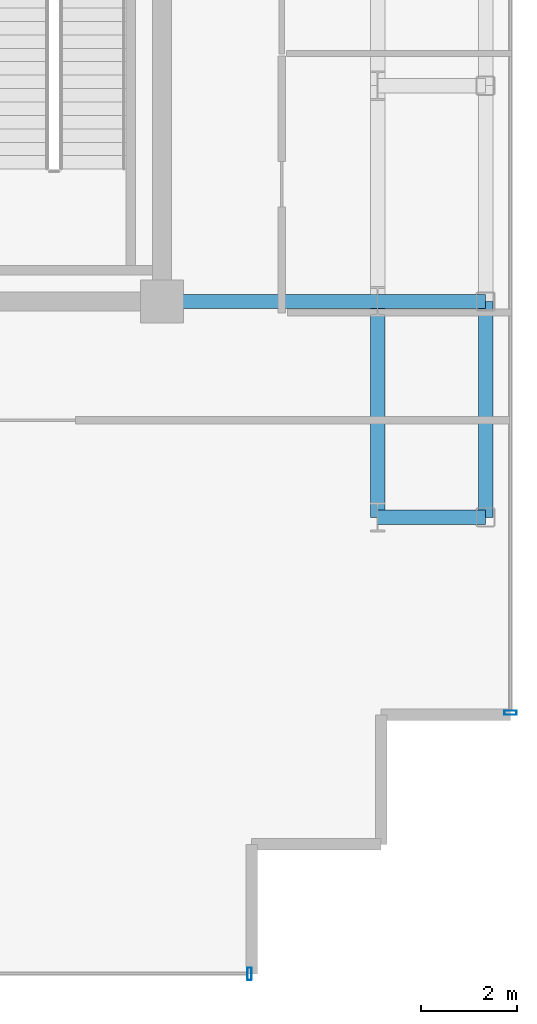
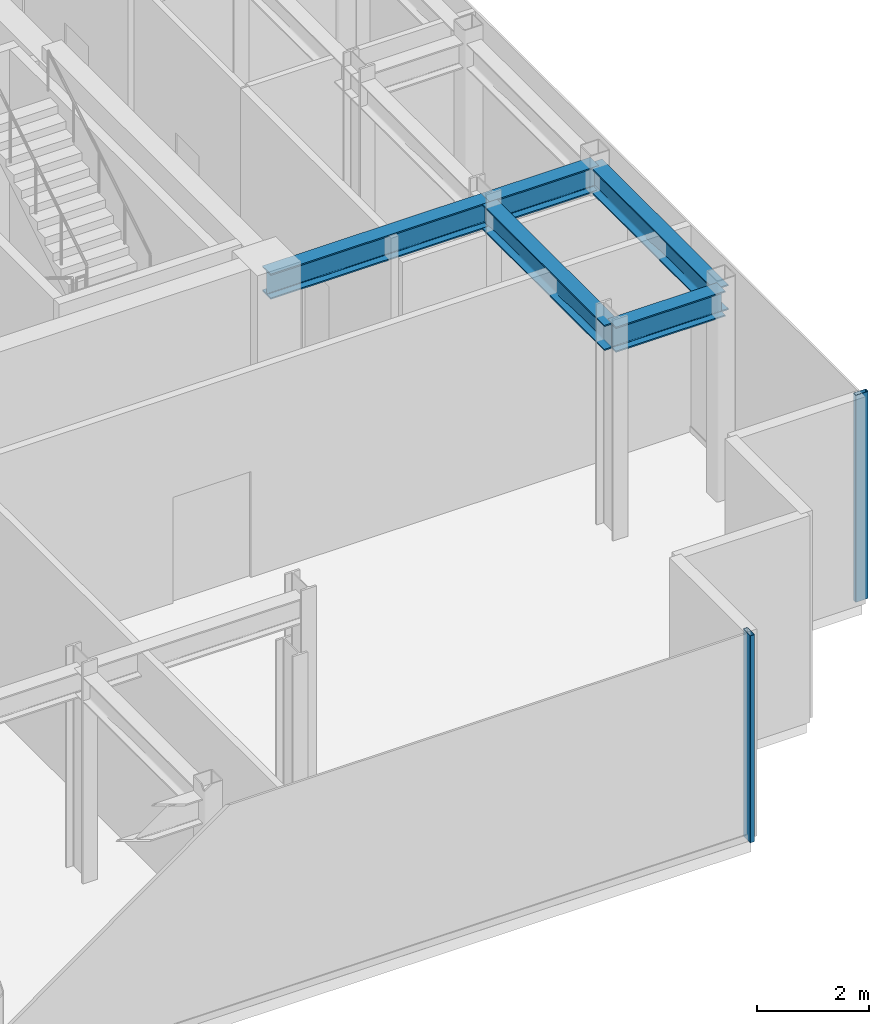
# One storey, part 6 of 17: 5 beams, 2 members, 2 elements without a shape of their own.
"""IFC4 building model written with IfcOpenShell, lengths in metres."""

import ifcopenshell
import ifcopenshell.guid

model = None  # the IFC model being written
_history = None  # IfcOwnerHistory: only IFC2X3 demands one
_inside = {}  # id of a spatial element -> (the spatial element, [elements in it])
_under = {}  # id of a project, library or spatial element -> (it, [spatial elements below it])
_declared = {}  # id of a project -> (the project, [libraries it declares])
_typed = {}  # id of a type object -> (the type object, [elements of that type])
_made_of = {}  # id of a material, layer set ... -> (it, [elements and type objects made of it])


def new_model(schema):
    """Start an empty IFC model of exactly this schema.

    Asked for "IFC4X3", IfcOpenShell would pick the latest addendum, in which some entities
    have other attributes; the version numbers below select the first issue.
    IFC2X3 requires an IfcOwnerHistory on every rooted entity: one is made here for all.
    """
    global model, _history
    if schema == "IFC4X3":
        model = ifcopenshell.file(schema_version=(4, 3, 0, 0))
    else:
        model = ifcopenshell.file(schema=schema)
    _inside.clear()
    _under.clear()
    _declared.clear()
    _typed.clear()
    _made_of.clear()
    _history = None
    if model.schema == "IFC2X3":
        org = make("IfcOrganization", Name="unknown")
        user = make(
            "IfcPersonAndOrganization",
            ThePerson=make("IfcPerson", FamilyName="unknown"),
            TheOrganization=org,
        )
        app = make(
            "IfcApplication",
            ApplicationDeveloper=org,
            Version="unknown",
            ApplicationFullName="unknown",
            ApplicationIdentifier="unknown",
        )
        _history = make(
            "IfcOwnerHistory",
            OwningUser=user,
            OwningApplication=app,
            ChangeAction="ADDED",
            CreationDate=0,
        )
    return model


def make(cls, **values):
    """One entity of the class cls with the attributes given. An attribute that is None is left unset."""
    return model.create_entity(
        cls, **{name: value for name, value in values.items() if value is not None}
    )


def rooted(cls, **values):
    """An entity with a GlobalId (a new one), such as an element, a storey or a relation."""
    return make(cls, GlobalId=ifcopenshell.guid.new(), OwnerHistory=_history, **values)


def si_unit(unit_type, name, prefix=None):
    """IfcSIUnit, for example si_unit("LENGTHUNIT", "METRE", prefix="MILLI")."""
    return make("IfcSIUnit", UnitType=unit_type, Prefix=prefix, Name=name)


def assignment(units):
    """IfcUnitAssignment: the units of a project."""
    return None if units is None else make("IfcUnitAssignment", Units=units)


def point(xyz):
    """IfcCartesianPoint."""
    return None if xyz is None else make("IfcCartesianPoint", Coordinates=xyz)


def direction(xyz):
    """IfcDirection."""
    return None if xyz is None else make("IfcDirection", DirectionRatios=xyz)


def frame(location, z_axis=None, x_axis=None):
    """IfcAxis2Placement3D, a coordinate frame: its origin and axes. An axis left out is left unset."""
    return make(
        "IfcAxis2Placement3D",
        Location=point(location),
        Axis=direction(z_axis),
        RefDirection=direction(x_axis),
    )


def frame_2d(location, x_axis=None):
    """IfcAxis2Placement2D, a coordinate frame in the plane: its origin and x axis."""
    return make(
        "IfcAxis2Placement2D", Location=point(location), RefDirection=direction(x_axis)
    )


def origin():
    """The frame at (0, 0, 0) with its axes left unset."""
    return frame((0.0, 0.0, 0.0))


def origin_2d():
    """The frame at (0, 0) in the plane with its x axis left unset."""
    return frame_2d((0.0, 0.0))


def place(relative_to, where):
    """IfcLocalPlacement: puts the frame where relative to a parent placement (None: the world)."""
    return make(
        "IfcLocalPlacement", PlacementRelTo=relative_to, RelativePlacement=where
    )


def context(
    kind, dimensions, precision=None, world=None, true_north=None, identifier=None
):
    """IfcGeometricRepresentationContext, for example the 3D "Model" context."""
    return make(
        "IfcGeometricRepresentationContext",
        ContextIdentifier=identifier,
        ContextType=kind,
        CoordinateSpaceDimension=dimensions,
        Precision=precision,
        WorldCoordinateSystem=world,
        TrueNorth=true_north,
    )


def subcontext(parent, identifier, kind, view, scale=None):
    """IfcGeometricRepresentationSubContext, for example "Body" below "Model"."""
    return make(
        "IfcGeometricRepresentationSubContext",
        ContextIdentifier=identifier,
        ContextType=kind,
        ParentContext=parent,
        TargetScale=scale,
        TargetView=view,
    )


def project(units=None, contexts=None):
    """IfcProject with its units and contexts."""
    return rooted(
        "IfcProject",
        Name="project",
        RepresentationContexts=contexts,
        UnitsInContext=assignment(units),
    )


def spatial(cls, under=None, at=None, **own):
    """A site, building, storey or space (cls), placed at a placement, below another one or the project."""
    s = rooted(cls, ObjectPlacement=at, **own)
    if under is not None:
        _under.setdefault(under.id(), (under, []))[1].append(s)
    return s


def profile(cls, at=None, kind="AREA", **sizes):
    """A parametric profile (cls). Its sizes go by their IFC names, for example OverallWidth=200.0."""
    return make(cls, ProfileType=kind, Position=at, **sizes)


def hollow_rectangle(**sizes):
    """IfcRectangleHollowProfileDef."""
    return profile("IfcRectangleHollowProfileDef", **sizes)


def i_section(**sizes):
    """IfcIShapeProfileDef."""
    return profile("IfcIShapeProfileDef", **sizes)


def extrude(swept, where, along, depth):
    """IfcExtrudedAreaSolid: the profile swept, set in the frame where, extruded along a direction by depth."""
    return make(
        "IfcExtrudedAreaSolid",
        SweptArea=swept,
        Position=where,
        ExtrudedDirection=direction(along),
        Depth=depth,
    )


def shape(context_of_items, identifier, shape_type, items):
    """IfcShapeRepresentation: the items that make up one representation, for example the "Body"."""
    return make(
        "IfcShapeRepresentation",
        ContextOfItems=context_of_items,
        RepresentationIdentifier=identifier,
        RepresentationType=shape_type,
        Items=items,
    )


def source(mapping_origin, context_of_items, identifier, shape_type, items):
    """IfcRepresentationMap: a shape defined once, which mapped items show again and again."""
    return make(
        "IfcRepresentationMap",
        MappingOrigin=mapping_origin,
        MappedRepresentation=shape(context_of_items, identifier, shape_type, items),
    )


def transform(
    local_origin,
    x_axis=None,
    y_axis=None,
    z_axis=None,
    scale=None,
    scale2=None,
    scale3=None,
    uniform=True,
):
    """IfcCartesianTransformationOperator3D, or its non-uniform kind. x_axis, y_axis, z_axis: its Axis1, 2, 3."""
    if uniform:
        return make(
            "IfcCartesianTransformationOperator3D",
            Axis1=direction(x_axis),
            Axis2=direction(y_axis),
            LocalOrigin=point(local_origin),
            Scale=scale,
            Axis3=direction(z_axis),
        )
    return make(
        "IfcCartesianTransformationOperator3DnonUniform",
        Axis1=direction(x_axis),
        Axis2=direction(y_axis),
        LocalOrigin=point(local_origin),
        Scale=scale,
        Axis3=direction(z_axis),
        Scale2=scale2,
        Scale3=scale3,
    )


def mapped(mapping_source, mapping_target):
    """IfcMappedItem: shows the shape of a source again, moved by a transform."""
    return make(
        "IfcMappedItem", MappingSource=mapping_source, MappingTarget=mapping_target
    )


def material(Name=None, Category=None):
    """IfcMaterial."""
    return make("IfcMaterial", Name=Name, Category=Category)


def layer(
    of_material, thickness, ventilated=None, Name=None, Category=None, Priority=None
):
    """IfcMaterialLayer: one layer of a wall or slab, of a material (None: an air gap)."""
    return make(
        "IfcMaterialLayer",
        Material=of_material,
        LayerThickness=thickness,
        IsVentilated=ventilated,
        Name=Name,
        Category=Category,
        Priority=Priority,
    )


def layer_set(layers, Name=None):
    """IfcMaterialLayerSet."""
    return make("IfcMaterialLayerSet", MaterialLayers=layers, LayerSetName=Name)


def material_profile(
    of_material, cross_section, Name=None, Category=None, Priority=None
):
    """IfcMaterialProfile: a cross section and its material."""
    return make(
        "IfcMaterialProfile",
        Name=Name,
        Material=of_material,
        Profile=cross_section,
        Priority=Priority,
        Category=Category,
    )


def profile_set(profiles, Name=None, composite=None):
    """IfcMaterialProfileSet."""
    return make(
        "IfcMaterialProfileSet",
        Name=Name,
        MaterialProfiles=profiles,
        CompositeProfile=composite,
    )


def made_of(thing, what):
    """Note that an element or type object is made of a material, layer set ...; save() writes the relation."""
    if what is not None:
        _made_of.setdefault(what.id(), (what, []))[1].append(thing)
    return thing


def type_object(cls, material=None, **own):
    """A type object (cls), such as IfcWallType, which elements share."""
    return made_of(rooted(cls, **own), material)


def element(
    cls,
    number,
    at=None,
    inside=None,
    cuts=None,
    type_object=None,
    material=None,
    context=None,
    identifier="Body",
    shape_type=None,
    held_by="IfcProductDefinitionShape",
    body=None,
    shapes=None,
    **own,
):
    """One element of the class cls, such as IfcWall. Its Tag is "e" and its number.

    at: its placement. inside: the storey or other place that contains it. cuts: it is an
    opening in that element (IfcRelVoidsElement). A single representation is given by context,
    identifier, shape_type and body (its items); several are given by shapes. held_by: the class
    of the entity that holds the representations. save() writes the other relations.
    """
    e = rooted(cls, Tag="e%d" % number, ObjectPlacement=at, **own)
    if body is not None:
        shapes = [shape(context, identifier, shape_type, body)]
    if shapes is not None:
        e.Representation = make(held_by, Representations=shapes)
    if inside is not None:
        _inside.setdefault(inside.id(), (inside, []))[1].append(e)
    if cuts is not None:
        rooted(
            "IfcRelVoidsElement", RelatingBuildingElement=cuts, RelatedOpeningElement=e
        )
    if type_object is not None:
        _typed.setdefault(type_object.id(), (type_object, []))[1].append(e)
    return made_of(e, material)


def aggregate(whole, parts):
    """IfcRelAggregates: a whole, such as a stair, and the parts it consists of."""
    return rooted("IfcRelAggregates", RelatingObject=whole, RelatedObjects=parts)


def save(model, path):
    """Write the relations noted so far, then the file.

    IfcRelAggregates (storeys below a building ...), IfcRelContainedInSpatialStructure (elements
    in a storey), IfcRelDefinesByType, IfcRelAssociatesMaterial and IfcRelDeclares: one each for
    every whole, place, type object, material and project.
    """
    for whole, parts in _under.values():
        aggregate(whole, parts)
    for where, things in _inside.values():
        rooted(
            "IfcRelContainedInSpatialStructure",
            RelatedElements=things,
            RelatingStructure=where,
        )
    for kind, things in _typed.values():
        rooted("IfcRelDefinesByType", RelatedObjects=things, RelatingType=kind)
    for what, things in _made_of.values():
        rooted("IfcRelAssociatesMaterial", RelatedObjects=things, RelatingMaterial=what)
    for by, libraries in _declared.values():
        rooted("IfcRelDeclares", RelatingContext=by, RelatedDefinitions=libraries)
    model.write(path)


model = new_model("IFC4")

# Units and contexts
model_context = context("Model", 3, precision=1e-05, world=origin(), true_north=direction((0.0, 1.0)))
body_context = subcontext(model_context, "Body", "Model", "MODEL_VIEW")
ifc_project = project(units=[si_unit("LENGTHUNIT", "METRE"), si_unit("AREAUNIT", "SQUARE_METRE"), si_unit("VOLUMEUNIT", "CUBIC_METRE"), si_unit("PLANEANGLEUNIT", "RADIAN"), si_unit("MASSUNIT", "GRAM", prefix="KILO")], contexts=[model_context])

# Site, building, storey
site_placement = place(None, origin())
site = spatial("IfcSite", under=ifc_project, at=site_placement, CompositionType="ELEMENT")
building_placement = place(site_placement, origin())
building = spatial("IfcBuilding", under=site, at=building_placement, Name="Nefas-Gora Pilgrimage Tower", CompositionType="ELEMENT")
storey_placement = place(building_placement, frame((0.0, 0.0, 349.0)))
storey = spatial("IfcBuildingStorey", under=building, at=storey_placement, Name="L88", CompositionType="ELEMENT", Elevation=349.0)

# Beams
ifc_material_1 = material(Name="Steel S355", Category="steel")
ifc_material_profile_1 = material_profile(ifc_material_1, i_section(OverallWidth=0.300048828125, OverallDepth=0.550048828125, WebThickness=0.014892578125, FlangeThickness=0.029052734375, FilletRadius=0.027099609375, at=origin_2d()), Name="HEB 550")
ifc_profile_set_1 = profile_set([ifc_material_profile_1], Name="Steel S355")
beam_type_1 = type_object("IfcBeamType", Name="BM-SPN-HEB400", PredefinedType="SPANDREL", material=ifc_profile_set_1)
shared_shape_1 = source(origin(), body_context, "Body", "SweptSolid", [
    extrude(i_section(OverallWidth=0.300048828125, OverallDepth=0.550048828125, WebThickness=0.014892578125, FlangeThickness=0.029052734375, FilletRadius=0.027099609375, at=origin_2d()), origin(), (0.0, 0.0, 1.0), 4.5),
])
beam_placement = place(storey_placement, frame((18.0, -13.5, 4.22509765625), z_axis=(0.0, 1.0, 0.0), x_axis=(-1.0, 0.0, 0.0)))
element("IfcBeam", 1, at=beam_placement, inside=storey, type_object=beam_type_1, Name="L88 SP-04 beam", PredefinedType="SPANDREL", context=body_context, shape_type="MappedRepresentation", body=[
    mapped(shared_shape_1, transform((0.0, 0.0, 0.0), x_axis=(1.0, 0.0, 0.0), y_axis=(0.0, 1.0, 0.0), z_axis=(0.0, 0.0, 1.0), scale=1.0)),
])
ifc_material_profile_2 = material_profile(ifc_material_1, i_section(OverallWidth=0.300048828125, OverallDepth=0.550048828125, WebThickness=0.014892578125, FlangeThickness=0.029052734375, FilletRadius=0.027099609375, at=origin_2d()), Name="HEB 550")
ifc_profile_set_2 = profile_set([ifc_material_profile_2], Name="Steel S355")
beam_type_2 = type_object("IfcBeamType", Name="BM-GIR-HEB550", PredefinedType="BEAM", material=ifc_profile_set_2)
shared_shape_2 = source(origin(), body_context, "Body", "SweptSolid", [
    extrude(i_section(OverallWidth=0.300048828125, OverallDepth=0.550048828125, WebThickness=0.014892578125, FlangeThickness=0.029052734375, FilletRadius=0.027099609375, at=origin_2d()), origin(), (0.0, 0.0, 1.0), 4.5),
])
for number, where, z_axis, x_axis, name in (
    (2, (11.25, -9.0, 4.22509765625), (1.0, 0.0, 0.0), (0.0, 1.0, 0.0), "L88 G-05 beam"),
    (3, (15.75, -13.5, 4.22509765625), (0.0, 1.0, 0.0), (-1.0, 0.0, 0.0), "L88 G-05 beam"),
):
    element("IfcBeam", number, at=place(storey_placement, frame(where, z_axis=z_axis, x_axis=x_axis)), inside=storey, type_object=beam_type_2, Name=name, PredefinedType="BEAM", context=body_context, shape_type="MappedRepresentation", body=[
        mapped(shared_shape_2, transform((0.0, 0.0, 0.0), x_axis=(1.0, 0.0, 0.0), y_axis=(0.0, 1.0, 0.0), z_axis=(0.0, 0.0, 1.0), scale=1.0)),
    ])
shared_shape_3 = source(origin(), body_context, "Body", "SweptSolid", [
    extrude(i_section(OverallWidth=0.300048828125, OverallDepth=0.550048828125, WebThickness=0.014892578125, FlangeThickness=0.029052734375, FilletRadius=0.027099609375, at=origin_2d()), origin(), (0.0, 0.0, 1.0), 2.25),
])
for number, where, z_axis, x_axis, name in (
    (4, (15.75, -13.5, 4.22509765625), (1.0, 0.0, 0.0), (0.0, 1.0, 0.0), "L88 G-05 beam"),
    (5, (15.75, -9.0, 4.22509765625), (1.0, 0.0, 0.0), (0.0, 1.0, 0.0), "L88 G-05 beam"),
):
    element("IfcBeam", number, at=place(storey_placement, frame(where, z_axis=z_axis, x_axis=x_axis)), inside=storey, type_object=beam_type_2, Name=name, PredefinedType="BEAM", context=body_context, shape_type="MappedRepresentation", body=[
        mapped(shared_shape_3, transform((0.0, 0.0, 0.0), x_axis=(1.0, 0.0, 0.0), y_axis=(0.0, 1.0, 0.0), z_axis=(0.0, 0.0, 1.0), scale=1.0)),
    ])

# Curtain wall, member
ifc_material_2 = material(Name="Dark ceramic-fritted solar-control aluminium-glass curtain wall", Category="aluminium")
ifc_layer = layer(ifc_material_2, 0.219970703125)
ifc_layer_set = layer_set([ifc_layer], Name="Dark ceramic-fritted solar-control aluminium-glass curtain wall")
curtain_wall_type = type_object("IfcCurtainWallType", Name="CW-SYS-6", PredefinedType="NOTDEFINED", material=ifc_layer_set)
curtain_wall_1_placement = place(storey_placement, origin())
curtain_wall_1 = element("IfcCurtainWall", 6, at=curtain_wall_1_placement, inside=storey, type_object=curtain_wall_type, Name="L88 Unitised Curtain Wall CW6", PredefinedType="NOTDEFINED")
ifc_material_3 = material(Name="Anodised architectural aluminium", Category="aluminium")
ifc_material_profile_3 = material_profile(ifc_material_3, hollow_rectangle(XDim=0.090087890625, YDim=0.260009765625, WallThickness=0.006103515625, InnerFilletRadius=0.006103515625, OuterFilletRadius=0.011962890625, at=origin_2d()), Name="ALU MULLION 90x260")
ifc_profile_set_3 = profile_set([ifc_material_profile_3], Name="Anodised architectural aluminium")
member_type = type_object("IfcMemberType", Name="CWM-MUL-6", PredefinedType="MULLION", material=ifc_profile_set_3)
shared_shape_4 = source(origin(), body_context, "Body", "SweptSolid", [
    extrude(hollow_rectangle(XDim=0.090087890625, YDim=0.260009765625, WallThickness=0.006103515625, InnerFilletRadius=0.006103515625, OuterFilletRadius=0.011962890625, at=origin_2d()), origin(), (0.0, 0.0, 1.0), 4.5),
])
member_1_placement = place(storey_placement, frame((13.074951171875, -23.02001953125, 0.0), z_axis=(0.0, 0.0, 1.0), x_axis=(1.0, 0.0, 0.0)))
member_1 = element("IfcMember", 7, at=member_1_placement, type_object=member_type, Name="CW6 Mullion 2", PredefinedType="MULLION", context=body_context, shape_type="MappedRepresentation", body=[
    mapped(shared_shape_4, transform((0.0, 0.0, 0.0), x_axis=(1.0, 0.0, 0.0), y_axis=(0.0, 1.0, 0.0), z_axis=(0.0, 0.0, 1.0), scale=1.0)),
])
aggregate(curtain_wall_1, [member_1])

curtain_wall_2_placement = place(storey_placement, origin())
curtain_wall_2 = element("IfcCurtainWall", 8, at=curtain_wall_2_placement, inside=storey, type_object=curtain_wall_type, Name="L88 Unitised Curtain Wall CW6", PredefinedType="NOTDEFINED")
member_2_placement = place(storey_placement, frame((18.52001953125, -17.574951171875, 0.0), z_axis=(0.0, 0.0, 1.0), x_axis=(0.0, 1.0, 0.0)))
member_2 = element("IfcMember", 9, at=member_2_placement, type_object=member_type, Name="CW6 Mullion 1", PredefinedType="MULLION", context=body_context, shape_type="MappedRepresentation", body=[
    mapped(shared_shape_4, transform((0.0, 0.0, 0.0), x_axis=(1.0, 0.0, 0.0), y_axis=(0.0, 1.0, 0.0), z_axis=(0.0, 0.0, 1.0), scale=1.0)),
])
aggregate(curtain_wall_2, [member_2])

save(model, "model.ifc")
